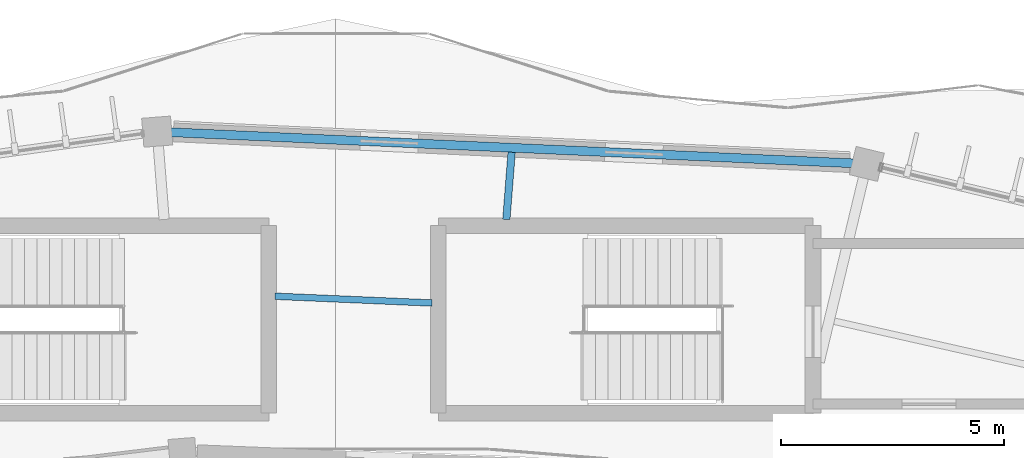
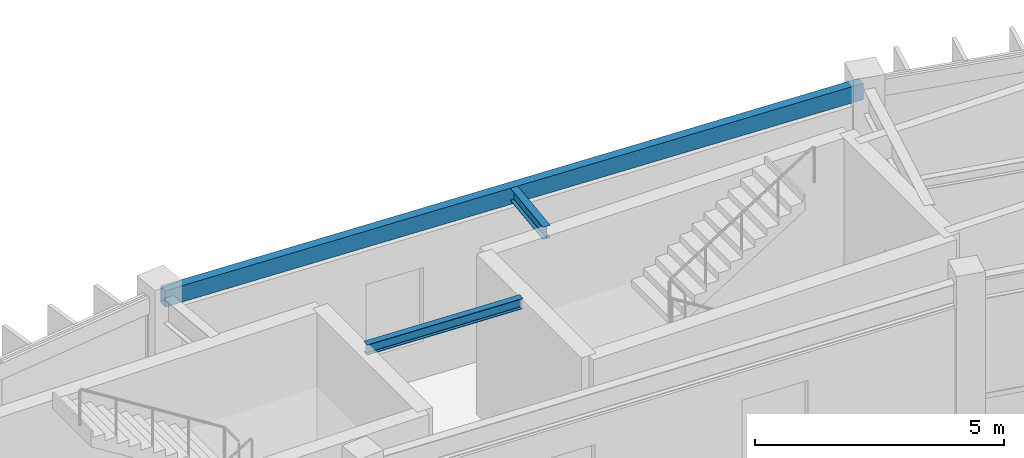
# One storey, part 63 of 114: 3 beams.
"""IFC4 building model written with IfcOpenShell, lengths in metres."""

from ifc_helpers import new_model, si_unit, direction, frame, origin, origin_2d, place, context, subcontext, project, spatial, hollow_rectangle, i_section, extrude, material, material_profile, profile_set, type_object, element, save


model = new_model("IFC4")

# Units and contexts
model_context = context("Model", 3, precision=1e-05, world=origin(), true_north=direction((0.0, 1.0)))
body_context = subcontext(model_context, "Body", "Model", "MODEL_VIEW")
ifc_project = project(units=[si_unit("LENGTHUNIT", "METRE"), si_unit("AREAUNIT", "SQUARE_METRE"), si_unit("VOLUMEUNIT", "CUBIC_METRE"), si_unit("PLANEANGLEUNIT", "RADIAN"), si_unit("MASSUNIT", "GRAM", prefix="KILO"), si_unit("THERMODYNAMICTEMPERATUREUNIT", "KELVIN"), si_unit("POWERUNIT", "WATT")], contexts=[model_context])

# Site, building, storey
site_placement = place(None, origin())
site = spatial("IfcSite", under=ifc_project, at=site_placement, CompositionType="ELEMENT")
building_placement = place(site_placement, origin())
building = spatial("IfcBuilding", under=site, at=building_placement, Name="Darbajah Civic Hall", CompositionType="ELEMENT")
storey_placement = place(building_placement, frame((0.0, 0.0, 13.800048828125)))
storey = spatial("IfcBuildingStorey", under=building, at=storey_placement, Name="L03", CompositionType="ELEMENT", Elevation=13.800048828125)

# Beams
ifc_material = material(Name="Steel S355JR", Category="steel")
ifc_material_profile_1 = material_profile(ifc_material, hollow_rectangle(XDim=0.199951171875, YDim=0.39990234375, WallThickness=0.013916015625, at=origin_2d()), Name="RHS 400x200x14")
ifc_profile_set_1 = profile_set([ifc_material_profile_1], Name="Steel S355JR")
beam_type_1 = type_object("IfcBeamType", Name="RHS 400x200x14", PredefinedType="SPANDREL", material=ifc_profile_set_1)
beam_1_placement = place(storey_placement, frame((100.92578125, 118.488525390625, 3.719970703125), z_axis=(-0.998964928608, 0.04548704664, 0.0), x_axis=(-0.04548704664, -0.998964928608, 0.0)))
element("IfcBeam", 1, at=beam_1_placement, inside=storey, type_object=beam_type_1, Name="L03 beam SP-RHS400", PredefinedType="SPANDREL", context=body_context, shape_type="SweptSolid", body=[
    extrude(hollow_rectangle(XDim=0.199951171875, YDim=0.39990234375, WallThickness=0.013916015625, at=origin_2d()), origin(), (0.0, 0.0, 1.0), 15.763671875),
])
ifc_material_profile_2 = material_profile(ifc_material, i_section(OverallWidth=0.146484375, OverallDepth=0.256103515625, WebThickness=0.00634765625, FlangeThickness=0.010986328125, FilletRadius=0.007568359375, at=origin_2d()), Name="UB 254x146x37")
ifc_profile_set_2 = profile_set([ifc_material_profile_2], Name="Steel S355JR")
beam_type_2 = type_object("IfcBeamType", Name="UB 254x146x37", PredefinedType="JOIST", material=ifc_profile_set_2)
beam_2_placement = place(storey_placement, frame((91.260009765625, 115.3671875, 3.7919921875), z_axis=(-0.999073726109, 0.043031265357, 0.0), x_axis=(-0.043031265357, -0.999073726109, 0.0)))
element("IfcBeam", 2, at=beam_2_placement, inside=storey, type_object=beam_type_2, Name="L03 beam SJ-254", PredefinedType="JOIST", context=body_context, shape_type="SweptSolid", body=[
    extrude(i_section(OverallWidth=0.146484375, OverallDepth=0.256103515625, WebThickness=0.00634765625, FlangeThickness=0.010986328125, FilletRadius=0.007568359375, at=origin_2d()), origin(), (0.0, 0.0, 1.0), 3.523193359375),
])
ifc_material_profile_3 = material_profile(ifc_material, i_section(OverallWidth=0.165771484375, OverallDepth=0.306640625, WebThickness=0.006591796875, FlangeThickness=0.01171875, FilletRadius=0.0087890625, at=origin_2d()), Name="UB 305x165x46")
ifc_profile_set_3 = profile_set([ifc_material_profile_3], Name="Steel S355JR")
beam_type_3 = type_object("IfcBeamType", Name="UB 305x165x46", PredefinedType="JOIST", material=ifc_profile_set_3)
beam_3_placement = place(storey_placement, frame((92.925537109375, 117.239990234375, 3.7666015625), z_axis=(0.078575634668, 0.996908155066, 0.0), x_axis=(-0.996908155066, 0.078575634668, 0.0)))
element("IfcBeam", 3, at=beam_3_placement, inside=storey, type_object=beam_type_3, Name="L03 beam SJ-305", PredefinedType="JOIST", context=body_context, shape_type="SweptSolid", body=[
    extrude(i_section(OverallWidth=0.165771484375, OverallDepth=0.306640625, WebThickness=0.006591796875, FlangeThickness=0.01171875, FilletRadius=0.0087890625, at=origin_2d()), origin(), (0.0, 0.0, 1.0), 1.510009765625),
])

save(model, "model.ifc")
